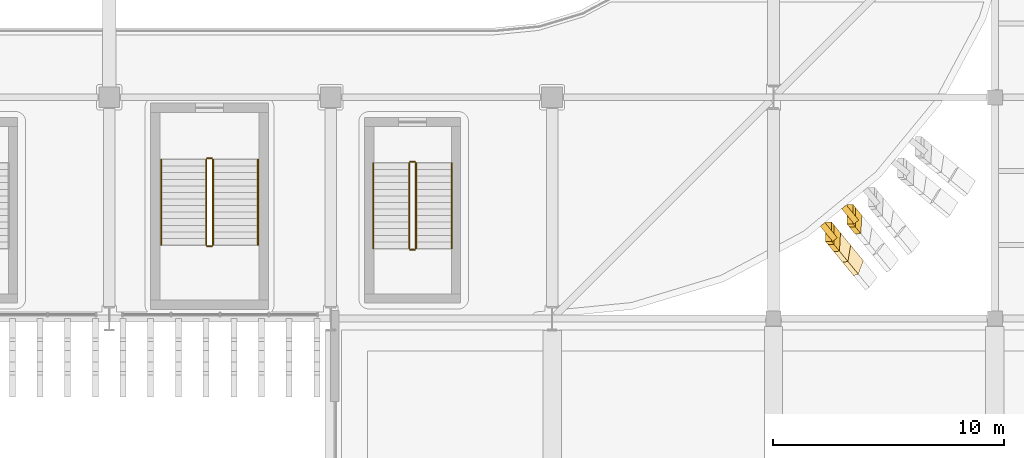
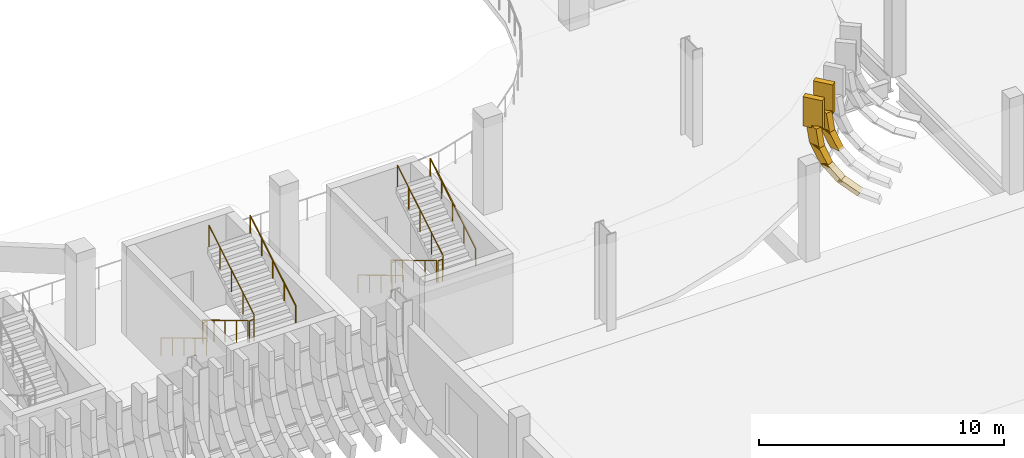
# One storey, part 90 of 100: 12 railings, 8 coverings.
"""IFC4 building model written with IfcOpenShell, lengths in metres."""

from ifc_helpers import new_model, si_unit, direction, frame, origin, origin_2d, place, context, subcontext, project, spatial, rectangle, circle, extrude, material, material_profile, profile_set, type_object, element, save


model = new_model("IFC4")

# Units and contexts
model_context = context("Model", 3, precision=1e-05, world=origin(), true_north=direction((0.0, 1.0)))
body_context = subcontext(model_context, "Body", "Model", "MODEL_VIEW")
ifc_project = project(units=[si_unit("LENGTHUNIT", "METRE"), si_unit("AREAUNIT", "SQUARE_METRE"), si_unit("VOLUMEUNIT", "CUBIC_METRE"), si_unit("PLANEANGLEUNIT", "RADIAN"), si_unit("MASSUNIT", "GRAM", prefix="KILO")], contexts=[model_context])

# Site, building, storey
site_placement = place(None, origin())
site = spatial("IfcSite", under=ifc_project, at=site_placement, CompositionType="ELEMENT")
building_placement = place(site_placement, origin())
building = spatial("IfcBuilding", under=site, at=building_placement, Name="Caelomonte Colonnade Arena", CompositionType="ELEMENT")
storey_placement = place(building_placement, origin())
storey = spatial("IfcBuildingStorey", under=building, at=storey_placement, Name="L00", CompositionType="ELEMENT", Elevation=0.0)

# Coverings
ifc_material_1 = material(Name="Precast travertine cladding", Category="masonry")
ifc_material_profile = material_profile(ifc_material_1, rectangle(XDim=0.260009765625, YDim=0.85009765625, at=origin_2d()), Name="FIN260X850")
ifc_profile_set = profile_set([ifc_material_profile], Name="Precast travertine cladding")
covering_type = type_object("IfcCoveringType", Name="ENV-FN-SKIRT", PredefinedType="CLADDING", material=ifc_profile_set)
covering_1_placement = place(storey_placement, frame((155.99755859375, 22.958251953125, 3.360107421875), z_axis=(0.0, 0.0, 1.0), x_axis=(-0.77299384472, -0.634413521313, 0.0)))
element("IfcCovering", 1, at=covering_1_placement, inside=storey, type_object=covering_type, Name="V1 L00 upper classical fin stem 10", PredefinedType="CLADDING", context=body_context, shape_type="SweptSolid", body=[
    extrude(rectangle(XDim=0.260009765625, YDim=0.85009765625, at=origin_2d()), origin(), (0.0, 0.0, 1.0), 1.4599609375),
])
covering_2_placement = place(storey_placement, frame((155.9931640625, 22.96337890625, 3.474609375), z_axis=(0.097130113441, -0.117961010588, -0.988256515811), x_axis=(-0.995262967256, -0.007354230871, -0.096940916528)))
element("IfcCovering", 2, at=covering_2_placement, inside=storey, type_object=covering_type, Name="V1 L00 splayed classical fin skirt chord 1 (10)", PredefinedType="CLADDING", context=body_context, shape_type="SweptSolid", body=[
    extrude(rectangle(XDim=0.260009765625, YDim=0.85009765625, at=origin_2d()), origin(), (0.0, 0.0, 1.0), 1.0078125),
])
for number, where, z_axis, x_axis, name in (
    (3, (156.073974609375, 22.865234375, 2.563232421875), (0.282172581046, -0.343693469961, -0.895686012625), (-0.958007139963, -0.05131451586, -0.282115473242), "V1 L00 splayed classical fin skirt chord 2 (10)"),
    (4, (156.32568359375, 22.558349609375, 1.733154296875), (0.440787951338, -0.536937850613, -0.7193078107), (-0.887009866819, -0.137760295402, -0.440721677679), "V1 L00 splayed classical fin skirt chord 3 (10)"),
    (5, (156.72509765625, 22.072021484375, 1.061767578125), (0.558036961483, -0.680107546807, -0.475445553555), (-0.788909297872, -0.257141420872, -0.558122217264), "V1 L00 splayed classical fin skirt chord 4 (10)"),
):
    element("IfcCovering", number, at=place(storey_placement, frame(where, z_axis=z_axis, x_axis=x_axis)), inside=storey, type_object=covering_type, Name=name, PredefinedType="CLADDING", context=body_context, shape_type="SweptSolid", body=[
        extrude(rectangle(XDim=0.260009765625, YDim=0.85009765625, at=origin_2d()), origin(), (0.0, 0.0, 1.0), 1.008056640625),
    ])
covering_3_placement = place(storey_placement, frame((156.92529296875, 23.719482421875, 3.360107421875), z_axis=(0.0, 0.0, 1.0), x_axis=(-0.77299384472, -0.634413521313, 0.0)))
element("IfcCovering", 6, at=covering_3_placement, inside=storey, type_object=covering_type, Name="V1 L00 upper classical fin stem 11", PredefinedType="CLADDING", context=body_context, shape_type="SweptSolid", body=[
    extrude(rectangle(XDim=0.260009765625, YDim=0.85009765625, at=origin_2d()), origin(), (0.0, 0.0, 1.0), 1.4599609375),
])
covering_4_placement = place(storey_placement, frame((156.9208984375, 23.724853515625, 3.474609375), z_axis=(0.097127335462, -0.11819984964, -0.988228251089), x_axis=(-0.99525848015, -0.006366466969, -0.097056817318)))
element("IfcCovering", 7, at=covering_4_placement, inside=storey, type_object=covering_type, Name="V1 L00 splayed classical fin skirt chord 1 (11)", PredefinedType="CLADDING", context=body_context, shape_type="SweptSolid", body=[
    extrude(rectangle(XDim=0.260009765625, YDim=0.85009765625, at=origin_2d()), origin(), (0.0, 0.0, 1.0), 1.008056640625),
])
covering_5_placement = place(storey_placement, frame((157.001708984375, 23.62646484375, 2.563232421875), z_axis=(0.281949634922, -0.343716951851, -0.895747207854), x_axis=(-0.958053286593, -0.050881063305, -0.282037262511)))
element("IfcCovering", 8, at=covering_5_placement, inside=storey, type_object=covering_type, Name="V1 L00 splayed classical fin skirt chord 2 (11)", PredefinedType="CLADDING", context=body_context, shape_type="SweptSolid", body=[
    extrude(rectangle(XDim=0.260009765625, YDim=0.85009765625, at=origin_2d()), origin(), (0.0, 0.0, 1.0), 1.0078125),
])

# Railings
ifc_material_2 = material(Name="Painted galvanized steel stair guard", Category="steel")
railing_type_1 = type_object("IfcRailingType", Name="INT-RL-GRD", PredefinedType="GUARDRAIL", material=ifc_material_2)
railing_1_placement = place(storey_placement, frame((129.0, 26.10009765625, 0.17138671875)))
element("IfcRailing", 9, at=railing_1_placement, inside=storey, type_object=railing_type_1, Name="L00 ST-13 stair guard 1", PredefinedType="GUARDRAIL", context=body_context, shape_type="SweptSolid", body=[
    extrude(circle(Radius=0.02392578125, at=origin_2d()), frame((0.0, 0.0, 1.076171875), z_axis=(0.0, -0.856934400257, 0.515425487977), x_axis=(1.0, 0.0, 0.0)), (0.0, 0.0, 1.0), 4.32373046875),
    extrude(circle(Radius=0.02099609375, at=origin_2d()), origin(), (0.0, 0.0, 1.0), 1.048095703125),
    extrude(circle(Radius=0.02099609375, at=origin_2d()), frame((0.0, -0.92626953125, 0.55712890625)), (0.0, 0.0, 1.0), 1.048095703125),
    extrude(circle(Radius=0.02099609375, at=origin_2d()), frame((0.0, -1.8525390625, 1.1142578125)), (0.0, 0.0, 1.0), 1.048095703125),
    extrude(circle(Radius=0.02099609375, at=origin_2d()), frame((0.0, -2.77880859375, 1.67138671875)), (0.0, 0.0, 1.0), 1.048095703125),
    extrude(circle(Radius=0.02099609375, at=origin_2d()), frame((0.0, -3.705078125, 2.228515625)), (0.0, 0.0, 1.0), 1.048095703125),
])
railing_2_placement = place(storey_placement, frame((129.050048828125, 22.344970703125, 2.39990234375)))
element("IfcRailing", 10, at=railing_2_placement, inside=storey, type_object=railing_type_1, Name="L00 ST-13 stair guard 2", PredefinedType="GUARDRAIL", context=body_context, shape_type="SweptSolid", body=[
    extrude(circle(Radius=0.02392578125, at=origin_2d()), frame((0.0, 0.0, 1.076171875), z_axis=(1.0, 0.0, 0.0), x_axis=(0.0, 1.0, 0.0)), (0.0, 0.0, 1.0), 0.199951171875),
    extrude(circle(Radius=0.02099609375, at=origin_2d()), origin(), (0.0, 0.0, 1.0), 1.048095703125),
    extrude(circle(Radius=0.02099609375, at=origin_2d()), frame((0.199951171875, 0.0, 0.0)), (0.0, 0.0, 1.0), 1.048095703125),
])
railing_3_placement = place(storey_placement, frame((129.300048828125, 22.39501953125, 2.571533203125)))
element("IfcRailing", 11, at=railing_3_placement, inside=storey, type_object=railing_type_1, Name="L00 ST-13 stair guard 3", PredefinedType="GUARDRAIL", context=body_context, shape_type="SweptSolid", body=[
    extrude(circle(Radius=0.02392578125, at=origin_2d()), frame((0.0, 0.0, 1.076171875), z_axis=(0.0, 0.856934400257, 0.515425487977), x_axis=(-1.0, 0.0, 0.0)), (0.0, 0.0, 1.0), 4.32373046875),
    extrude(circle(Radius=0.02099609375, at=origin_2d()), origin(), (0.0, 0.0, 1.0), 1.048095703125),
    extrude(circle(Radius=0.02099609375, at=origin_2d()), frame((0.0, 0.92626953125, 0.55712890625)), (0.0, 0.0, 1.0), 1.048095703125),
    extrude(circle(Radius=0.02099609375, at=origin_2d()), frame((0.0, 1.8525390625, 1.1142578125)), (0.0, 0.0, 1.0), 1.048095703125),
    extrude(circle(Radius=0.02099609375, at=origin_2d()), frame((0.0, 2.77880859375, 1.67138671875)), (0.0, 0.0, 1.0), 1.048095703125),
    extrude(circle(Radius=0.02099609375, at=origin_2d()), frame((0.0, 3.705078125, 2.228515625)), (0.0, 0.0, 1.0), 1.048095703125),
])
railing_4_placement = place(storey_placement, frame((129.050048828125, 26.14990234375, 0.0)))
element("IfcRailing", 12, at=railing_4_placement, inside=storey, type_object=railing_type_1, Name="L00 ST-13 stair guard 4", PredefinedType="GUARDRAIL", context=body_context, shape_type="SweptSolid", body=[
    extrude(circle(Radius=0.02392578125, at=origin_2d()), frame((0.0, 0.0, 1.076171875), z_axis=(1.0, 0.0, 0.0), x_axis=(0.0, 1.0, 0.0)), (0.0, 0.0, 1.0), 0.199951171875),
    extrude(circle(Radius=0.02099609375, at=origin_2d()), origin(), (0.0, 0.0, 1.0), 1.048095703125),
    extrude(circle(Radius=0.02099609375, at=origin_2d()), frame((0.199951171875, 0.0, 0.0)), (0.0, 0.0, 1.0), 1.048095703125),
])
railing_5_placement = place(storey_placement, frame((137.800048828125, 25.949951171875, 0.17138671875)))
element("IfcRailing", 13, at=railing_5_placement, inside=storey, type_object=railing_type_1, Name="L00 ST-V04 stair guard 1", PredefinedType="GUARDRAIL", context=body_context, shape_type="SweptSolid", body=[
    extrude(circle(Radius=0.02392578125, at=origin_2d()), frame((0.0, 0.0, 1.076171875), z_axis=(0.0, -0.856919398105, 0.515450429384), x_axis=(1.0, 0.0, 0.0)), (0.0, 0.0, 1.0), 4.323486328125),
    extrude(circle(Radius=0.02099609375, at=origin_2d()), origin(), (0.0, 0.0, 1.0), 1.048095703125),
    extrude(circle(Radius=0.02099609375, at=origin_2d()), frame((0.0, -0.92626953125, 0.55712890625)), (0.0, 0.0, 1.0), 1.048095703125),
    extrude(circle(Radius=0.02099609375, at=origin_2d()), frame((0.0, -1.8525390625, 1.1142578125)), (0.0, 0.0, 1.0), 1.048095703125),
    extrude(circle(Radius=0.02099609375, at=origin_2d()), frame((0.0, -2.778564453125, 1.67138671875)), (0.0, 0.0, 1.0), 1.048095703125),
    extrude(circle(Radius=0.02099609375, at=origin_2d()), frame((0.0, -3.704833984375, 2.228515625)), (0.0, 0.0, 1.0), 1.048095703125),
])
railing_6_placement = place(storey_placement, frame((137.85009765625, 22.195068359375, 2.39990234375)))
element("IfcRailing", 14, at=railing_6_placement, inside=storey, type_object=railing_type_1, Name="L00 ST-V04 stair guard 2", PredefinedType="GUARDRAIL", context=body_context, shape_type="SweptSolid", body=[
    extrude(circle(Radius=0.02392578125, at=origin_2d()), frame((0.0, 0.0, 1.076171875), z_axis=(1.0, 0.0, 0.0), x_axis=(0.0, 1.0, 0.0)), (0.0, 0.0, 1.0), 0.199951171875),
    extrude(circle(Radius=0.02099609375, at=origin_2d()), origin(), (0.0, 0.0, 1.0), 1.048095703125),
    extrude(circle(Radius=0.02099609375, at=origin_2d()), frame((0.199951171875, 0.0, 0.0)), (0.0, 0.0, 1.0), 1.048095703125),
])
railing_7_placement = place(storey_placement, frame((138.10009765625, 22.2451171875, 2.571533203125)))
element("IfcRailing", 15, at=railing_7_placement, inside=storey, type_object=railing_type_1, Name="L00 ST-V04 stair guard 3", PredefinedType="GUARDRAIL", context=body_context, shape_type="SweptSolid", body=[
    extrude(circle(Radius=0.02392578125, at=origin_2d()), frame((0.0, 0.0, 1.076171875), z_axis=(0.0, 0.856919398105, 0.515450429384), x_axis=(-1.0, 0.0, 0.0)), (0.0, 0.0, 1.0), 4.323486328125),
    extrude(circle(Radius=0.02099609375, at=origin_2d()), origin(), (0.0, 0.0, 1.0), 1.048095703125),
    extrude(circle(Radius=0.02099609375, at=origin_2d()), frame((0.0, 0.92626953125, 0.55712890625)), (0.0, 0.0, 1.0), 1.048095703125),
    extrude(circle(Radius=0.02099609375, at=origin_2d()), frame((0.0, 1.8525390625, 1.1142578125)), (0.0, 0.0, 1.0), 1.048095703125),
    extrude(circle(Radius=0.02099609375, at=origin_2d()), frame((0.0, 2.778564453125, 1.67138671875)), (0.0, 0.0, 1.0), 1.048095703125),
    extrude(circle(Radius=0.02099609375, at=origin_2d()), frame((0.0, 3.704833984375, 2.228515625)), (0.0, 0.0, 1.0), 1.048095703125),
])
railing_8_placement = place(storey_placement, frame((137.85009765625, 26.0, 0.0)))
element("IfcRailing", 16, at=railing_8_placement, inside=storey, type_object=railing_type_1, Name="L00 ST-V04 stair guard 4", PredefinedType="GUARDRAIL", context=body_context, shape_type="SweptSolid", body=[
    extrude(circle(Radius=0.02392578125, at=origin_2d()), frame((0.0, 0.0, 1.076171875), z_axis=(1.0, 0.0, 0.0), x_axis=(0.0, 1.0, 0.0)), (0.0, 0.0, 1.0), 0.199951171875),
    extrude(circle(Radius=0.02099609375, at=origin_2d()), origin(), (0.0, 0.0, 1.0), 1.048095703125),
    extrude(circle(Radius=0.02099609375, at=origin_2d()), frame((0.199951171875, 0.0, 0.0)), (0.0, 0.0, 1.0), 1.048095703125),
])
ifc_material_3 = material(Name="Brushed stainless steel stair handrail", Category="steel")
railing_type_2 = type_object("IfcRailingType", Name="INT-RL-HR", PredefinedType="HANDRAIL", material=ifc_material_3)
railing_9_placement = place(storey_placement, frame((127.050048828125, 26.10009765625, 0.17138671875)))
element("IfcRailing", 17, at=railing_9_placement, inside=storey, type_object=railing_type_2, Name="L00 ST-13 stair handrail 1", PredefinedType="HANDRAIL", context=body_context, shape_type="SweptSolid", body=[
    extrude(circle(Radius=0.02392578125, at=origin_2d()), frame((0.0, 0.0, 0.8759765625), z_axis=(0.0, -0.856934400257, 0.515425487977), x_axis=(1.0, 0.0, 0.0)), (0.0, 0.0, 1.0), 4.32373046875),
    extrude(circle(Radius=0.02099609375, at=origin_2d()), origin(), (0.0, 0.0, 1.0), 0.847900390625),
    extrude(circle(Radius=0.02099609375, at=origin_2d()), frame((0.0, -0.92626953125, 0.55712890625)), (0.0, 0.0, 1.0), 0.847900390625),
    extrude(circle(Radius=0.02099609375, at=origin_2d()), frame((0.0, -1.8525390625, 1.1142578125)), (0.0, 0.0, 1.0), 0.847900390625),
    extrude(circle(Radius=0.02099609375, at=origin_2d()), frame((0.0, -2.77880859375, 1.67138671875)), (0.0, 0.0, 1.0), 0.847900390625),
    extrude(circle(Radius=0.02099609375, at=origin_2d()), frame((0.0, -3.705078125, 2.228515625)), (0.0, 0.0, 1.0), 0.847900390625),
])
railing_10_placement = place(storey_placement, frame((131.25, 22.39501953125, 2.571533203125)))
element("IfcRailing", 18, at=railing_10_placement, inside=storey, type_object=railing_type_2, Name="L00 ST-13 stair handrail 2", PredefinedType="HANDRAIL", context=body_context, shape_type="SweptSolid", body=[
    extrude(circle(Radius=0.02392578125, at=origin_2d()), frame((0.0, 0.0, 0.8759765625), z_axis=(0.0, 0.856934400257, 0.515425487977), x_axis=(-1.0, 0.0, 0.0)), (0.0, 0.0, 1.0), 4.32373046875),
    extrude(circle(Radius=0.02099609375, at=origin_2d()), origin(), (0.0, 0.0, 1.0), 0.847900390625),
    extrude(circle(Radius=0.02099609375, at=origin_2d()), frame((0.0, 0.92626953125, 0.55712890625)), (0.0, 0.0, 1.0), 0.847900390625),
    extrude(circle(Radius=0.02099609375, at=origin_2d()), frame((0.0, 1.8525390625, 1.1142578125)), (0.0, 0.0, 1.0), 0.847900390625),
    extrude(circle(Radius=0.02099609375, at=origin_2d()), frame((0.0, 2.77880859375, 1.67138671875)), (0.0, 0.0, 1.0), 0.847900390625),
    extrude(circle(Radius=0.02099609375, at=origin_2d()), frame((0.0, 3.705078125, 2.228515625)), (0.0, 0.0, 1.0), 0.847900390625),
])
railing_11_placement = place(storey_placement, frame((136.25, 25.949951171875, 0.17138671875)))
element("IfcRailing", 19, at=railing_11_placement, inside=storey, type_object=railing_type_2, Name="L00 ST-V04 stair handrail 1", PredefinedType="HANDRAIL", context=body_context, shape_type="SweptSolid", body=[
    extrude(circle(Radius=0.02392578125, at=origin_2d()), frame((0.0, 0.0, 0.8759765625), z_axis=(0.0, -0.856919398105, 0.515450429384), x_axis=(1.0, 0.0, 0.0)), (0.0, 0.0, 1.0), 4.323486328125),
    extrude(circle(Radius=0.02099609375, at=origin_2d()), origin(), (0.0, 0.0, 1.0), 0.847900390625),
    extrude(circle(Radius=0.02099609375, at=origin_2d()), frame((0.0, -0.92626953125, 0.55712890625)), (0.0, 0.0, 1.0), 0.847900390625),
    extrude(circle(Radius=0.02099609375, at=origin_2d()), frame((0.0, -1.8525390625, 1.1142578125)), (0.0, 0.0, 1.0), 0.847900390625),
    extrude(circle(Radius=0.02099609375, at=origin_2d()), frame((0.0, -2.778564453125, 1.67138671875)), (0.0, 0.0, 1.0), 0.847900390625),
    extrude(circle(Radius=0.02099609375, at=origin_2d()), frame((0.0, -3.704833984375, 2.228515625)), (0.0, 0.0, 1.0), 0.847900390625),
])
railing_12_placement = place(storey_placement, frame((139.64990234375, 22.2451171875, 2.571533203125)))
element("IfcRailing", 20, at=railing_12_placement, inside=storey, type_object=railing_type_2, Name="L00 ST-V04 stair handrail 2", PredefinedType="HANDRAIL", context=body_context, shape_type="SweptSolid", body=[
    extrude(circle(Radius=0.02392578125, at=origin_2d()), frame((0.0, 0.0, 0.8759765625), z_axis=(0.0, 0.856919398105, 0.515450429384), x_axis=(-1.0, 0.0, 0.0)), (0.0, 0.0, 1.0), 4.323486328125),
    extrude(circle(Radius=0.02099609375, at=origin_2d()), origin(), (0.0, 0.0, 1.0), 0.847900390625),
    extrude(circle(Radius=0.02099609375, at=origin_2d()), frame((0.0, 0.92626953125, 0.55712890625)), (0.0, 0.0, 1.0), 0.847900390625),
    extrude(circle(Radius=0.02099609375, at=origin_2d()), frame((0.0, 1.8525390625, 1.1142578125)), (0.0, 0.0, 1.0), 0.847900390625),
    extrude(circle(Radius=0.02099609375, at=origin_2d()), frame((0.0, 2.778564453125, 1.67138671875)), (0.0, 0.0, 1.0), 0.847900390625),
    extrude(circle(Radius=0.02099609375, at=origin_2d()), frame((0.0, 3.704833984375, 2.228515625)), (0.0, 0.0, 1.0), 0.847900390625),
])

save(model, "model.ifc")
